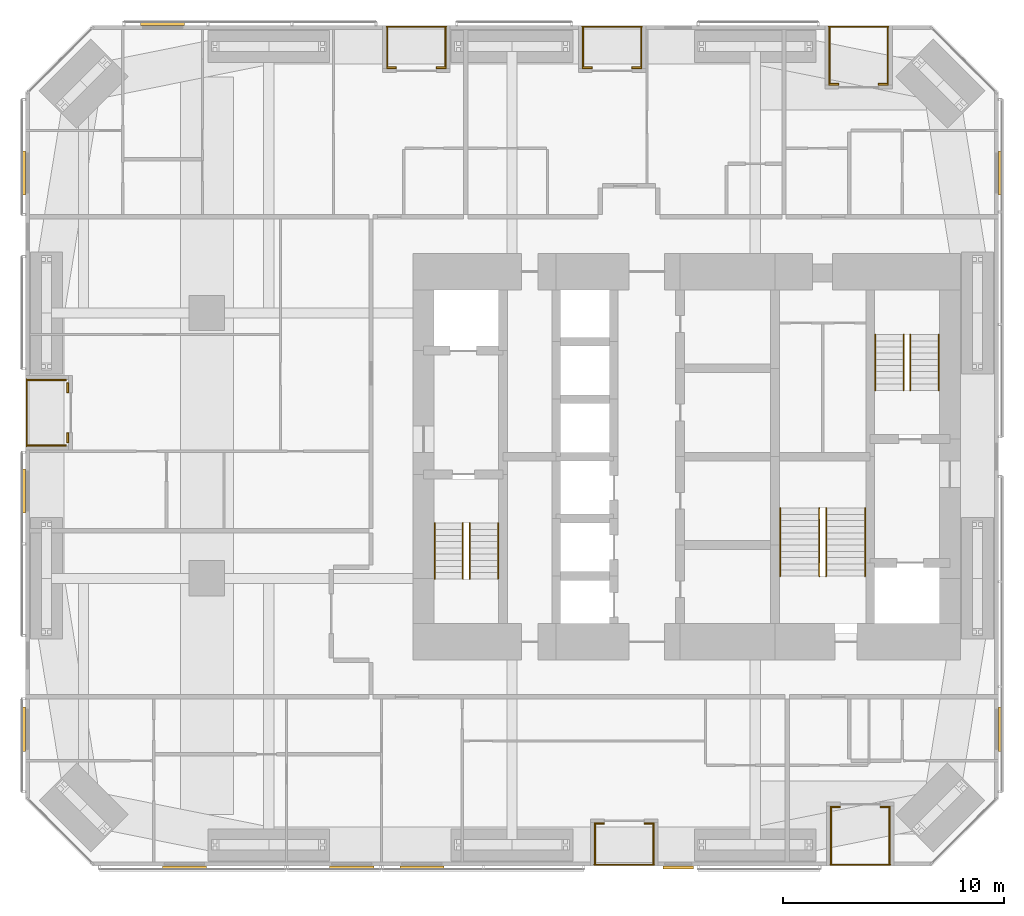
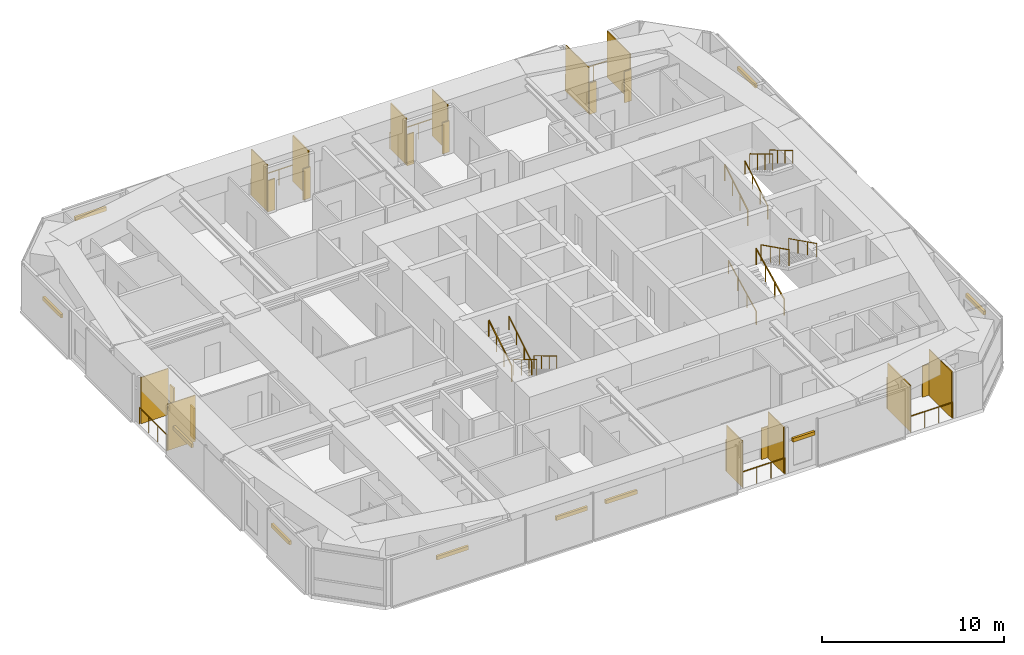
# One storey, part 24 of 24: 34 shading devices, 18 railings.
"""IFC4 building model written with IfcOpenShell, lengths in metres."""

from ifc_helpers import new_model, si_unit, direction, frame, origin, origin_2d, place, context, subcontext, project, spatial, rectangle, circle, extrude, material, layer, layer_set, constituent, constituent_set, type_object, element, save


model = new_model("IFC4")

# Units and contexts
model_context = context("Model", 3, precision=1e-05, world=origin(), true_north=direction((0.0, 1.0)))
body_context = subcontext(model_context, "Body", "Model", "MODEL_VIEW")
ifc_project = project(units=[si_unit("LENGTHUNIT", "METRE"), si_unit("AREAUNIT", "SQUARE_METRE"), si_unit("VOLUMEUNIT", "CUBIC_METRE"), si_unit("PLANEANGLEUNIT", "RADIAN"), si_unit("MASSUNIT", "GRAM", prefix="KILO")], contexts=[model_context])

# Site, building, storey
site_placement = place(None, origin())
site = spatial("IfcSite", under=ifc_project, at=site_placement, CompositionType="ELEMENT")
building_placement = place(site_placement, origin())
building = spatial("IfcBuilding", under=site, at=building_placement, Name="Jalousie Tower", CompositionType="ELEMENT")
storey_placement = place(building_placement, frame((0.0, 0.0, 47.800048828125)))
storey = spatial("IfcBuildingStorey", under=building, at=storey_placement, Name="L12", CompositionType="ELEMENT", Elevation=47.800048828125)

# Shading devices
ifc_material_1 = material(Name="Aluminium impact-rated louvred storm shutter", Category="aluminium")
shading_device_type_1 = type_object("IfcShadingDeviceType", Name="BI-FOLD STORM SHUTTER 900x2100", PredefinedType="SHUTTER", material=ifc_material_1)
for number, where, z_axis, x_axis, name in (
    (1, (27.949951171875, 1.909912109375, 0.0), (0.0, 0.0, 1.0), (1.0, 0.0, 0.0), "Loggia storm shutter L12"),
    (2, (30.199951171875, 1.909912109375, 0.0), (0.0, 0.0, 1.0), (1.0, 0.0, 0.0), "Loggia storm shutter L12"),
    (3, (38.625, 2.659912109375, 0.0), (0.0, 0.0, 1.0), (1.0, 0.0, 0.0), "Loggia storm shutter L12"),
    (4, (40.875, 2.659912109375, 0.0), (0.0, 0.0, 1.0), (1.0, 0.0, 0.0), "Loggia storm shutter L12"),
    (5, (40.798583984375, 35.340087890625, 0.0), (0.0, 0.0, 1.0), (-1.0, 0.0, 0.0), "Loggia storm shutter L12"),
    (6, (38.548583984375, 35.340087890625, 0.0), (0.0, 0.0, 1.0), (-1.0, 0.0, 0.0), "Loggia storm shutter L12"),
    (7, (29.64990234375, 36.090087890625, 0.0), (0.0, 0.0, 1.0), (-1.0, 0.0, 0.0), "Loggia storm shutter L12"),
    (8, (27.39990234375, 36.090087890625, 0.0), (0.0, 0.0, 1.0), (-1.0, 0.0, 0.0), "Loggia storm shutter L12"),
    (9, (20.800048828125, 36.090087890625, 0.0), (0.0, 0.0, 1.0), (-1.0, 0.0, 0.0), "Loggia storm shutter L12"),
    (10, (18.550048828125, 36.090087890625, 0.0), (0.0, 0.0, 1.0), (-1.0, 0.0, 0.0), "Loggia storm shutter L12"),
    (11, (3.909912109375, 21.612548828125, 0.0), (0.0, 0.0, 1.0), (0.0, -1.0, 0.0), "Loggia storm shutter L12"),
    (12, (3.909912109375, 19.362548828125, 0.0), (0.0, 0.0, 1.0), (0.0, -1.0, 0.0), "Loggia storm shutter L12"),
):
    element("IfcShadingDevice", number, at=place(storey_placement, frame(where, z_axis=z_axis, x_axis=x_axis)), inside=storey, type_object=shading_device_type_1, Name=name, PredefinedType="SHUTTER", context=body_context, shape_type="SweptSolid", body=[
        extrude(rectangle(XDim=0.449951171875, YDim=0.080078125, at=origin_2d()), origin(), (0.0, 0.0, 1.0), 2.10009765625),
    ])

# Railings
ifc_material_2 = material(Name="Powder-coated aluminium fretwork", Category="aluminium")
railing_type_1 = type_object("IfcRailingType", Name="FRETWORK BALUSTRADE 1100", PredefinedType="BALUSTRADE", material=ifc_material_2)
railing_1_placement = place(storey_placement, frame((27.72509765625, 0.050048828125, 0.0)))
element("IfcRailing", 13, at=railing_1_placement, inside=storey, type_object=railing_type_1, Name="Loggia fretwork balustrade L12", PredefinedType="BALUSTRADE", context=body_context, shape_type="SweptSolid", body=[
    extrude(rectangle(XDim=0.048095703125, YDim=0.048095703125, at=origin_2d()), frame((0.0, 0.0, 1.076171875), z_axis=(1.0, 0.0, 0.0), x_axis=(0.0, 1.0, 0.0)), (0.0, 0.0, 1.0), 2.699951171875),
    extrude(circle(Radius=0.02099609375, at=origin_2d()), origin(), (0.0, 0.0, 1.0), 1.052001953125),
    extrude(circle(Radius=0.02099609375, at=origin_2d()), frame((0.89990234375, 0.0, 0.0)), (0.0, 0.0, 1.0), 1.052001953125),
    extrude(circle(Radius=0.02099609375, at=origin_2d()), frame((1.800048828125, 0.0, 0.0)), (0.0, 0.0, 1.0), 1.052001953125),
    extrude(circle(Radius=0.02099609375, at=origin_2d()), frame((2.699951171875, 0.0, 0.0)), (0.0, 0.0, 1.0), 1.052001953125),
])
railing_2_placement = place(storey_placement, frame((38.39990234375, 0.050048828125, 0.0)))
element("IfcRailing", 14, at=railing_2_placement, inside=storey, type_object=railing_type_1, Name="Loggia fretwork balustrade L12", PredefinedType="BALUSTRADE", context=body_context, shape_type="SweptSolid", body=[
    extrude(rectangle(XDim=0.048095703125, YDim=0.048095703125, at=origin_2d()), frame((0.0, 0.0, 1.076171875), z_axis=(1.0, 0.0, 0.0), x_axis=(0.0, 1.0, 0.0)), (0.0, 0.0, 1.0), 2.7001953125),
    extrude(circle(Radius=0.02099609375, at=origin_2d()), origin(), (0.0, 0.0, 1.0), 1.052001953125),
    extrude(circle(Radius=0.02099609375, at=origin_2d()), frame((0.900146484375, 0.0, 0.0)), (0.0, 0.0, 1.0), 1.052001953125),
    extrude(circle(Radius=0.02099609375, at=origin_2d()), frame((1.800048828125, 0.0, 0.0)), (0.0, 0.0, 1.0), 1.052001953125),
    extrude(circle(Radius=0.02099609375, at=origin_2d()), frame((2.7001953125, 0.0, 0.0)), (0.0, 0.0, 1.0), 1.052001953125),
])
for number, where, name in (
    (15, (41.023681640625, 37.949951171875, 0.0), "Loggia fretwork balustrade L12"),
    (16, (29.875, 37.949951171875, 0.0), "Loggia fretwork balustrade L12"),
    (17, (21.02490234375, 37.949951171875, 0.0), "Loggia fretwork balustrade L12"),
):
    element("IfcRailing", number, at=place(storey_placement, frame(where)), inside=storey, type_object=railing_type_1, Name=name, PredefinedType="BALUSTRADE", context=body_context, shape_type="SweptSolid", body=[
        extrude(rectangle(XDim=0.048095703125, YDim=0.048095703125, at=origin_2d()), frame((0.0, 0.0, 1.076171875), z_axis=(-1.0, 0.0, 0.0), x_axis=(0.0, -1.0, 0.0)), (0.0, 0.0, 1.0), 2.699951171875),
        extrude(circle(Radius=0.02099609375, at=origin_2d()), origin(), (0.0, 0.0, 1.0), 1.052001953125),
        extrude(circle(Radius=0.02099609375, at=origin_2d()), frame((-0.89990234375, 0.0, 0.0)), (0.0, 0.0, 1.0), 1.052001953125),
        extrude(circle(Radius=0.02099609375, at=origin_2d()), frame((-1.800048828125, 0.0, 0.0)), (0.0, 0.0, 1.0), 1.052001953125),
        extrude(circle(Radius=0.02099609375, at=origin_2d()), frame((-2.699951171875, 0.0, 0.0)), (0.0, 0.0, 1.0), 1.052001953125),
    ])
railing_3_placement = place(storey_placement, frame((2.050048828125, 22.0, 0.0)))
element("IfcRailing", 18, at=railing_3_placement, inside=storey, type_object=railing_type_1, Name="Loggia fretwork balustrade L12", PredefinedType="BALUSTRADE", context=body_context, shape_type="SweptSolid", body=[
    extrude(rectangle(XDim=0.048095703125, YDim=0.048095703125, at=origin_2d()), frame((0.0, 0.0, 1.076171875), z_axis=(0.0, -1.0, 0.0), x_axis=(1.0, 0.0, 0.0)), (0.0, 0.0, 1.0), 3.02490234375),
    extrude(circle(Radius=0.02099609375, at=origin_2d()), origin(), (0.0, 0.0, 1.0), 1.052001953125),
    extrude(circle(Radius=0.02099609375, at=origin_2d()), frame((0.0, -1.00830078125, 0.0)), (0.0, 0.0, 1.0), 1.052001953125),
    extrude(circle(Radius=0.02099609375, at=origin_2d()), frame((0.0, -2.0166015625, 0.0)), (0.0, 0.0, 1.0), 1.052001953125),
    extrude(circle(Radius=0.02099609375, at=origin_2d()), frame((0.0, -3.02490234375, 0.0)), (0.0, 0.0, 1.0), 1.052001953125),
])

# Shading devices
ifc_material_3 = material(Name="Powder-coated aluminium louvres", Category="aluminium")
ifc_layer = layer(ifc_material_3, 0.06005859375)
ifc_layer_set = layer_set([ifc_layer], Name="Powder-coated aluminium louvres")
shading_device_type_2 = type_object("IfcShadingDeviceType", Name="JALOUSIE LOUVRE SCREEN", PredefinedType="JALOUSIE", material=ifc_layer_set)
for number, where, z_axis, x_axis, name in (
    (19, (27.7548828125, 0.97509765625, 0.0), (0.0, 0.0, 1.0), (1.0, 0.0, 0.0), "Loggia jalousie louvre screen L12"),
    (20, (30.39501953125, 0.97509765625, 0.0), (0.0, 0.0, 1.0), (1.0, 0.0, 0.0), "Loggia jalousie louvre screen L12"),
):
    element("IfcShadingDevice", number, at=place(storey_placement, frame(where, z_axis=z_axis, x_axis=x_axis)), inside=storey, type_object=shading_device_type_2, Name=name, PredefinedType="JALOUSIE", context=body_context, shape_type="SweptSolid", body=[
        extrude(rectangle(XDim=0.06005859375, YDim=1.75, at=origin_2d()), origin(), (0.0, 0.0, 1.0), 3.110107421875),
    ])
for number, where, z_axis, x_axis, name in (
    (21, (38.429931640625, 1.35009765625, 0.0), (0.0, 0.0, 1.0), (1.0, 0.0, 0.0), "Loggia jalousie louvre screen L12"),
    (22, (41.070068359375, 1.35009765625, 0.0), (0.0, 0.0, 1.0), (1.0, 0.0, 0.0), "Loggia jalousie louvre screen L12"),
    (23, (40.99365234375, 36.64990234375, 0.0), (0.0, 0.0, 1.0), (-1.0, 0.0, 0.0), "Loggia jalousie louvre screen L12"),
    (24, (38.353759765625, 36.64990234375, 0.0), (0.0, 0.0, 1.0), (-1.0, 0.0, 0.0), "Loggia jalousie louvre screen L12"),
):
    element("IfcShadingDevice", number, at=place(storey_placement, frame(where, z_axis=z_axis, x_axis=x_axis)), inside=storey, type_object=shading_device_type_2, Name=name, PredefinedType="JALOUSIE", context=body_context, shape_type="SweptSolid", body=[
        extrude(rectangle(XDim=0.06005859375, YDim=2.5, at=origin_2d()), origin(), (0.0, 0.0, 1.0), 3.110107421875),
    ])
for number, where, z_axis, x_axis, name in (
    (25, (29.844970703125, 37.02490234375, 0.0), (0.0, 0.0, 1.0), (-1.0, 0.0, 0.0), "Loggia jalousie louvre screen L12"),
    (26, (27.205078125, 37.02490234375, 0.0), (0.0, 0.0, 1.0), (-1.0, 0.0, 0.0), "Loggia jalousie louvre screen L12"),
    (27, (20.9951171875, 37.02490234375, 0.0), (0.0, 0.0, 1.0), (-1.0, 0.0, 0.0), "Loggia jalousie louvre screen L12"),
    (28, (18.35498046875, 37.02490234375, 0.0), (0.0, 0.0, 1.0), (-1.0, 0.0, 0.0), "Loggia jalousie louvre screen L12"),
    (29, (2.97509765625, 21.969970703125, 0.0), (0.0, 0.0, 1.0), (0.0, -1.0, 0.0), "Loggia jalousie louvre screen L12"),
    (30, (2.97509765625, 19.0048828125, 0.0), (0.0, 0.0, 1.0), (0.0, -1.0, 0.0), "Loggia jalousie louvre screen L12"),
):
    element("IfcShadingDevice", number, at=place(storey_placement, frame(where, z_axis=z_axis, x_axis=x_axis)), inside=storey, type_object=shading_device_type_2, Name=name, PredefinedType="JALOUSIE", context=body_context, shape_type="SweptSolid", body=[
        extrude(rectangle(XDim=0.06005859375, YDim=1.75, at=origin_2d()), origin(), (0.0, 0.0, 1.0), 3.110107421875),
    ])

# Railings
ifc_material_4 = material(Name="Steel ASTM A500 Grade C", Category="steel")
ifc_constituent_1 = constituent(ifc_material_4, Name="Body")
ifc_material_5 = material(Name="Hot-dip galvanised zinc coating")
ifc_constituent_2 = constituent(ifc_material_5, Name="Finish")
ifc_constituent_set_1 = constituent_set(constituents=[ifc_constituent_1, ifc_constituent_2])
railing_type_2 = type_object("IfcRailingType", Name="STAIR GUARD 1100", PredefinedType="GUARDRAIL", material=ifc_constituent_set_1)
railing_4_placement = place(storey_placement, frame((22.092529296875, 15.49755859375, 0.16748046875)))
element("IfcRailing", 31, at=railing_4_placement, inside=storey, type_object=railing_type_2, Name="Exit stair A guard L12 flight 1", PredefinedType="GUARDRAIL", context=body_context, shape_type="SweptSolid", body=[
    extrude(rectangle(XDim=0.048095703125, YDim=0.048095703125, at=origin_2d()), frame((0.0, 0.0, 1.076171875), z_axis=(0.0, -0.858159760407, 0.513382728203), x_axis=(1.0, 0.0, 0.0)), (0.0, 0.0, 1.0), 2.9365234375),
    extrude(circle(Radius=0.02099609375, at=origin_2d()), origin(), (0.0, 0.0, 1.0), 1.052001953125),
    extrude(circle(Radius=0.02099609375, at=origin_2d()), frame((0.0, -0.840087890625, 0.50244140625)), (0.0, 0.0, 1.0), 1.052001953125),
    extrude(circle(Radius=0.02099609375, at=origin_2d()), frame((0.0, -1.679931640625, 1.005126953125)), (0.0, 0.0, 1.0), 1.052001953125),
    extrude(circle(Radius=0.02099609375, at=origin_2d()), frame((0.0, -2.52001953125, 1.507568359375)), (0.0, 0.0, 1.0), 1.052001953125),
])
railing_5_placement = place(storey_placement, frame((20.5048828125, 12.9775390625, 1.842529296875)))
element("IfcRailing", 32, at=railing_5_placement, inside=storey, type_object=railing_type_2, Name="Exit stair A guard L12 flight 2", PredefinedType="GUARDRAIL", context=body_context, shape_type="SweptSolid", body=[
    extrude(rectangle(XDim=0.048095703125, YDim=0.048095703125, at=origin_2d()), frame((0.0, 0.0, 1.076171875), z_axis=(0.0, 0.858196387827, 0.513321497621), x_axis=(-1.0, 0.0, 0.0)), (0.0, 0.0, 1.0), 2.9365234375),
    extrude(circle(Radius=0.02099609375, at=origin_2d()), origin(), (0.0, 0.0, 1.0), 1.052001953125),
    extrude(circle(Radius=0.02099609375, at=origin_2d()), frame((0.0, 0.840087890625, 0.50244140625)), (0.0, 0.0, 1.0), 1.052001953125),
    extrude(circle(Radius=0.02099609375, at=origin_2d()), frame((0.0, 1.679931640625, 1.0048828125)), (0.0, 0.0, 1.0), 1.052001953125),
    extrude(circle(Radius=0.02099609375, at=origin_2d()), frame((0.0, 2.52001953125, 1.50732421875)), (0.0, 0.0, 1.0), 1.052001953125),
])
railing_6_placement = place(storey_placement, frame((40.43017578125, 21.50244140625, 0.16748046875)))
element("IfcRailing", 33, at=railing_6_placement, inside=storey, type_object=railing_type_2, Name="Exit stair B guard L12 flight 1", PredefinedType="GUARDRAIL", context=body_context, shape_type="SweptSolid", body=[
    extrude(rectangle(XDim=0.048095703125, YDim=0.048095703125, at=origin_2d()), frame((0.0, 0.0, 1.076171875), z_axis=(0.0, 0.858159760407, 0.513382728203), x_axis=(-1.0, 0.0, 0.0)), (0.0, 0.0, 1.0), 2.9365234375),
    extrude(circle(Radius=0.02099609375, at=origin_2d()), origin(), (0.0, 0.0, 1.0), 1.052001953125),
    extrude(circle(Radius=0.02099609375, at=origin_2d()), frame((0.0, 0.840087890625, 0.50244140625)), (0.0, 0.0, 1.0), 1.052001953125),
    extrude(circle(Radius=0.02099609375, at=origin_2d()), frame((0.0, 1.679931640625, 1.005126953125)), (0.0, 0.0, 1.0), 1.052001953125),
    extrude(circle(Radius=0.02099609375, at=origin_2d()), frame((0.0, 2.52001953125, 1.507568359375)), (0.0, 0.0, 1.0), 1.052001953125),
])
railing_7_placement = place(storey_placement, frame((42.017578125, 24.0224609375, 1.842529296875)))
element("IfcRailing", 34, at=railing_7_placement, inside=storey, type_object=railing_type_2, Name="Exit stair B guard L12 flight 2", PredefinedType="GUARDRAIL", context=body_context, shape_type="SweptSolid", body=[
    extrude(rectangle(XDim=0.048095703125, YDim=0.048095703125, at=origin_2d()), frame((0.0, 0.0, 1.076171875), z_axis=(0.0, -0.858196387827, 0.513321497621), x_axis=(1.0, 0.0, 0.0)), (0.0, 0.0, 1.0), 2.9365234375),
    extrude(circle(Radius=0.02099609375, at=origin_2d()), origin(), (0.0, 0.0, 1.0), 1.052001953125),
    extrude(circle(Radius=0.02099609375, at=origin_2d()), frame((0.0, -0.840087890625, 0.50244140625)), (0.0, 0.0, 1.0), 1.052001953125),
    extrude(circle(Radius=0.02099609375, at=origin_2d()), frame((0.0, -1.679931640625, 1.0048828125)), (0.0, 0.0, 1.0), 1.052001953125),
    extrude(circle(Radius=0.02099609375, at=origin_2d()), frame((0.0, -2.52001953125, 1.50732421875)), (0.0, 0.0, 1.0), 1.052001953125),
])
railing_8_placement = place(storey_placement, frame((37.89501953125, 13.097412109375, 0.1396484375)))
element("IfcRailing", 35, at=railing_8_placement, inside=storey, type_object=railing_type_2, Name="Exit stair C guard L12 flight 1", PredefinedType="GUARDRAIL", context=body_context, shape_type="SweptSolid", body=[
    extrude(rectangle(XDim=0.048095703125, YDim=0.048095703125, at=origin_2d()), frame((0.0, 0.0, 1.076171875), z_axis=(0.0, 0.894965676997, 0.446134998624), x_axis=(-1.0, 0.0, 0.0)), (0.0, 0.0, 1.0), 3.441650390625),
    extrude(circle(Radius=0.02099609375, at=origin_2d()), origin(), (0.0, 0.0, 1.0), 1.052001953125),
    extrude(circle(Radius=0.02099609375, at=origin_2d()), frame((0.0, 1.026611328125, 0.51171875)), (0.0, 0.0, 1.0), 1.052001953125),
    extrude(circle(Radius=0.02099609375, at=origin_2d()), frame((0.0, 2.053466796875, 1.023681640625)), (0.0, 0.0, 1.0), 1.052001953125),
    extrude(circle(Radius=0.02099609375, at=origin_2d()), frame((0.0, 3.080078125, 1.535400390625)), (0.0, 0.0, 1.0), 1.052001953125),
])
railing_9_placement = place(storey_placement, frame((38.205078125, 16.177490234375, 1.814453125)))
element("IfcRailing", 36, at=railing_9_placement, inside=storey, type_object=railing_type_2, Name="Exit stair C guard L12 flight 2", PredefinedType="GUARDRAIL", context=body_context, shape_type="SweptSolid", body=[
    extrude(rectangle(XDim=0.048095703125, YDim=0.048095703125, at=origin_2d()), frame((0.0, 0.0, 1.076171875), z_axis=(0.0, -0.894965676997, 0.446134998624), x_axis=(1.0, 0.0, 0.0)), (0.0, 0.0, 1.0), 3.441650390625),
    extrude(circle(Radius=0.02099609375, at=origin_2d()), origin(), (0.0, 0.0, 1.0), 1.052001953125),
    extrude(circle(Radius=0.02099609375, at=origin_2d()), frame((0.0, -1.026611328125, 0.51171875)), (0.0, 0.0, 1.0), 1.052001953125),
    extrude(circle(Radius=0.02099609375, at=origin_2d()), frame((0.0, -2.053466796875, 1.023681640625)), (0.0, 0.0, 1.0), 1.052001953125),
    extrude(circle(Radius=0.02099609375, at=origin_2d()), frame((0.0, -3.080078125, 1.535400390625)), (0.0, 0.0, 1.0), 1.052001953125),
])
ifc_material_6 = material(Name="Steel ASTM A500 Grade C", Category="steel")
ifc_constituent_3 = constituent(ifc_material_6, Name="Body")
ifc_material_7 = material(Name="Hot-dip galvanised zinc coating")
ifc_constituent_4 = constituent(ifc_material_7, Name="Finish")
ifc_constituent_set_2 = constituent_set(constituents=[ifc_constituent_3, ifc_constituent_4])
railing_type_3 = type_object("IfcRailingType", Name="STAIR HANDRAIL 900", PredefinedType="HANDRAIL", material=ifc_constituent_set_2)
railing_10_placement = place(storey_placement, frame((23.3701171875, 15.49755859375, 0.16748046875)))
element("IfcRailing", 37, at=railing_10_placement, inside=storey, type_object=railing_type_3, Name="Exit stair A handrail L12 flight 1", PredefinedType="HANDRAIL", context=body_context, shape_type="SweptSolid", body=[
    extrude(circle(Radius=0.02392578125, at=origin_2d()), frame((0.0, 0.0, 0.8759765625), z_axis=(0.0, -0.858159760407, 0.513382728203), x_axis=(1.0, 0.0, 0.0)), (0.0, 0.0, 1.0), 2.9365234375),
    extrude(circle(Radius=0.02099609375, at=origin_2d()), origin(), (0.0, 0.0, 1.0), 0.851806640625),
    extrude(circle(Radius=0.02099609375, at=origin_2d()), frame((0.0, -0.840087890625, 0.50244140625)), (0.0, 0.0, 1.0), 0.851806640625),
    extrude(circle(Radius=0.02099609375, at=origin_2d()), frame((0.0, -1.679931640625, 1.005126953125)), (0.0, 0.0, 1.0), 0.851806640625),
    extrude(circle(Radius=0.02099609375, at=origin_2d()), frame((0.0, -2.52001953125, 1.507568359375)), (0.0, 0.0, 1.0), 0.851806640625),
])
railing_11_placement = place(storey_placement, frame((21.78271484375, 12.9775390625, 1.842529296875)))
element("IfcRailing", 38, at=railing_11_placement, inside=storey, type_object=railing_type_3, Name="Exit stair A handrail L12 flight 2", PredefinedType="HANDRAIL", context=body_context, shape_type="SweptSolid", body=[
    extrude(circle(Radius=0.02392578125, at=origin_2d()), frame((0.0, 0.0, 0.8759765625), z_axis=(0.0, 0.858196387827, 0.513321497621), x_axis=(-1.0, 0.0, 0.0)), (0.0, 0.0, 1.0), 2.9365234375),
    extrude(circle(Radius=0.02099609375, at=origin_2d()), origin(), (0.0, 0.0, 1.0), 0.851806640625),
    extrude(circle(Radius=0.02099609375, at=origin_2d()), frame((0.0, 0.840087890625, 0.50244140625)), (0.0, 0.0, 1.0), 0.851806640625),
    extrude(circle(Radius=0.02099609375, at=origin_2d()), frame((0.0, 1.679931640625, 1.0048828125)), (0.0, 0.0, 1.0), 0.851806640625),
    extrude(circle(Radius=0.02099609375, at=origin_2d()), frame((0.0, 2.52001953125, 1.50732421875)), (0.0, 0.0, 1.0), 0.851806640625),
])
railing_12_placement = place(storey_placement, frame((41.70751953125, 21.50244140625, 0.16748046875)))
element("IfcRailing", 39, at=railing_12_placement, inside=storey, type_object=railing_type_3, Name="Exit stair B handrail L12 flight 1", PredefinedType="HANDRAIL", context=body_context, shape_type="SweptSolid", body=[
    extrude(circle(Radius=0.02392578125, at=origin_2d()), frame((0.0, 0.0, 0.8759765625), z_axis=(0.0, 0.858159760407, 0.513382728203), x_axis=(-1.0, 0.0, 0.0)), (0.0, 0.0, 1.0), 2.9365234375),
    extrude(circle(Radius=0.02099609375, at=origin_2d()), origin(), (0.0, 0.0, 1.0), 0.851806640625),
    extrude(circle(Radius=0.02099609375, at=origin_2d()), frame((0.0, 0.840087890625, 0.50244140625)), (0.0, 0.0, 1.0), 0.851806640625),
    extrude(circle(Radius=0.02099609375, at=origin_2d()), frame((0.0, 1.679931640625, 1.005126953125)), (0.0, 0.0, 1.0), 0.851806640625),
    extrude(circle(Radius=0.02099609375, at=origin_2d()), frame((0.0, 2.52001953125, 1.507568359375)), (0.0, 0.0, 1.0), 0.851806640625),
])
railing_13_placement = place(storey_placement, frame((43.294921875, 24.0224609375, 1.842529296875)))
element("IfcRailing", 40, at=railing_13_placement, inside=storey, type_object=railing_type_3, Name="Exit stair B handrail L12 flight 2", PredefinedType="HANDRAIL", context=body_context, shape_type="SweptSolid", body=[
    extrude(circle(Radius=0.02392578125, at=origin_2d()), frame((0.0, 0.0, 0.8759765625), z_axis=(0.0, -0.858196387827, 0.513321497621), x_axis=(1.0, 0.0, 0.0)), (0.0, 0.0, 1.0), 2.9365234375),
    extrude(circle(Radius=0.02099609375, at=origin_2d()), origin(), (0.0, 0.0, 1.0), 0.851806640625),
    extrude(circle(Radius=0.02099609375, at=origin_2d()), frame((0.0, -0.840087890625, 0.50244140625)), (0.0, 0.0, 1.0), 0.851806640625),
    extrude(circle(Radius=0.02099609375, at=origin_2d()), frame((0.0, -1.679931640625, 1.0048828125)), (0.0, 0.0, 1.0), 0.851806640625),
    extrude(circle(Radius=0.02099609375, at=origin_2d()), frame((0.0, -2.52001953125, 1.50732421875)), (0.0, 0.0, 1.0), 0.851806640625),
])
railing_14_placement = place(storey_placement, frame((36.1298828125, 13.097412109375, 0.1396484375)))
element("IfcRailing", 41, at=railing_14_placement, inside=storey, type_object=railing_type_3, Name="Exit stair C handrail L12 flight 1", PredefinedType="HANDRAIL", context=body_context, shape_type="SweptSolid", body=[
    extrude(circle(Radius=0.02392578125, at=origin_2d()), frame((0.0, 0.0, 0.8759765625), z_axis=(0.0, 0.894965676997, 0.446134998624), x_axis=(-1.0, 0.0, 0.0)), (0.0, 0.0, 1.0), 3.441650390625),
    extrude(circle(Radius=0.02099609375, at=origin_2d()), origin(), (0.0, 0.0, 1.0), 0.851806640625),
    extrude(circle(Radius=0.02099609375, at=origin_2d()), frame((0.0, 1.026611328125, 0.51171875)), (0.0, 0.0, 1.0), 0.851806640625),
    extrude(circle(Radius=0.02099609375, at=origin_2d()), frame((0.0, 2.053466796875, 1.023681640625)), (0.0, 0.0, 1.0), 0.851806640625),
    extrude(circle(Radius=0.02099609375, at=origin_2d()), frame((0.0, 3.080078125, 1.535400390625)), (0.0, 0.0, 1.0), 0.851806640625),
])
railing_15_placement = place(storey_placement, frame((39.969970703125, 16.177490234375, 1.814453125)))
element("IfcRailing", 42, at=railing_15_placement, inside=storey, type_object=railing_type_3, Name="Exit stair C handrail L12 flight 2", PredefinedType="HANDRAIL", context=body_context, shape_type="SweptSolid", body=[
    extrude(circle(Radius=0.02392578125, at=origin_2d()), frame((0.0, 0.0, 0.8759765625), z_axis=(0.0, -0.894965676997, 0.446134998624), x_axis=(1.0, 0.0, 0.0)), (0.0, 0.0, 1.0), 3.441650390625),
    extrude(circle(Radius=0.02099609375, at=origin_2d()), origin(), (0.0, 0.0, 1.0), 0.851806640625),
    extrude(circle(Radius=0.02099609375, at=origin_2d()), frame((0.0, -1.026611328125, 0.51171875)), (0.0, 0.0, 1.0), 0.851806640625),
    extrude(circle(Radius=0.02099609375, at=origin_2d()), frame((0.0, -2.053466796875, 1.023681640625)), (0.0, 0.0, 1.0), 0.851806640625),
    extrude(circle(Radius=0.02099609375, at=origin_2d()), frame((0.0, -3.080078125, 1.535400390625)), (0.0, 0.0, 1.0), 0.851806640625),
])

# Shading devices
ifc_material_8 = material(Name="Aluminium roller storm shutter", Category="aluminium")
shading_device_type_3 = type_object("IfcShadingDeviceType", Name="STORM SHUTTER HOUSING", PredefinedType="SHUTTER", material=ifc_material_8)
for number, where, z_axis, x_axis, name in (
    (43, (9.18505859375, -0.074951171875, 2.099853515625), (0.0, 0.0, 1.0), (1.0, 0.0, 0.0), "Storm shutter L12"),
    (44, (16.757568359375, -0.074951171875, 2.099853515625), (0.0, 0.0, 1.0), (1.0, 0.0, 0.0), "Storm shutter L12"),
    (45, (19.925048828125, -0.074951171875, 2.099853515625), (0.0, 0.0, 1.0), (1.0, 0.0, 0.0), "Storm shutter L12"),
):
    element("IfcShadingDevice", number, at=place(storey_placement, frame(where, z_axis=z_axis, x_axis=x_axis)), inside=storey, type_object=shading_device_type_3, Name=name, PredefinedType="SHUTTER", context=body_context, shape_type="SweptSolid", body=[
        extrude(rectangle(XDim=2.0, YDim=0.14990234375, at=origin_2d()), origin(), (0.0, 0.0, 1.0), 0.25),
    ])
shading_device_placement = place(storey_placement, frame((31.517333984375, -0.074951171875, 2.099853515625), z_axis=(0.0, 0.0, 1.0), x_axis=(1.0, 0.0, 0.0)))
element("IfcShadingDevice", 46, at=shading_device_placement, inside=storey, type_object=shading_device_type_3, Name="Storm shutter L12", PredefinedType="SHUTTER", context=body_context, shape_type="SweptSolid", body=[
    extrude(rectangle(XDim=1.39990234375, YDim=0.14990234375, at=origin_2d()), origin(), (0.0, 0.0, 1.0), 0.25),
])
for number, where, z_axis, x_axis, name in (
    (47, (46.074951171875, 6.17333984375, 2.099853515625), (0.0, 0.0, 1.0), (0.0, 1.0, 0.0), "Storm shutter L12"),
    (48, (46.074951171875, 31.32666015625, 2.099853515625), (0.0, 0.0, 1.0), (0.0, 1.0, 0.0), "Storm shutter L12"),
    (49, (8.199951171875, 38.074951171875, 2.099853515625), (0.0, 0.0, 1.0), (-1.0, 0.0, 0.0), "Storm shutter L12"),
    (50, (1.925048828125, 31.32666015625, 2.099853515625), (0.0, 0.0, 1.0), (0.0, -1.0, 0.0), "Storm shutter L12"),
    (51, (1.925048828125, 16.949951171875, 2.099853515625), (0.0, 0.0, 1.0), (0.0, -1.0, 0.0), "Storm shutter L12"),
    (52, (1.925048828125, 6.17333984375, 2.099853515625), (0.0, 0.0, 1.0), (0.0, -1.0, 0.0), "Storm shutter L12"),
):
    element("IfcShadingDevice", number, at=place(storey_placement, frame(where, z_axis=z_axis, x_axis=x_axis)), inside=storey, type_object=shading_device_type_3, Name=name, PredefinedType="SHUTTER", context=body_context, shape_type="SweptSolid", body=[
        extrude(rectangle(XDim=2.0, YDim=0.14990234375, at=origin_2d()), origin(), (0.0, 0.0, 1.0), 0.25),
    ])

save(model, "model.ifc")
